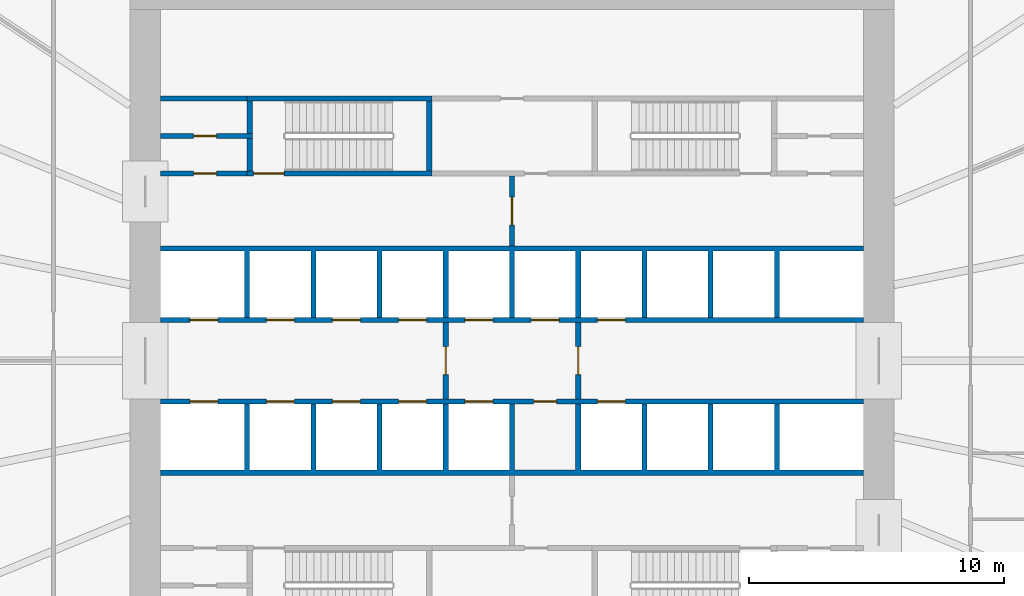
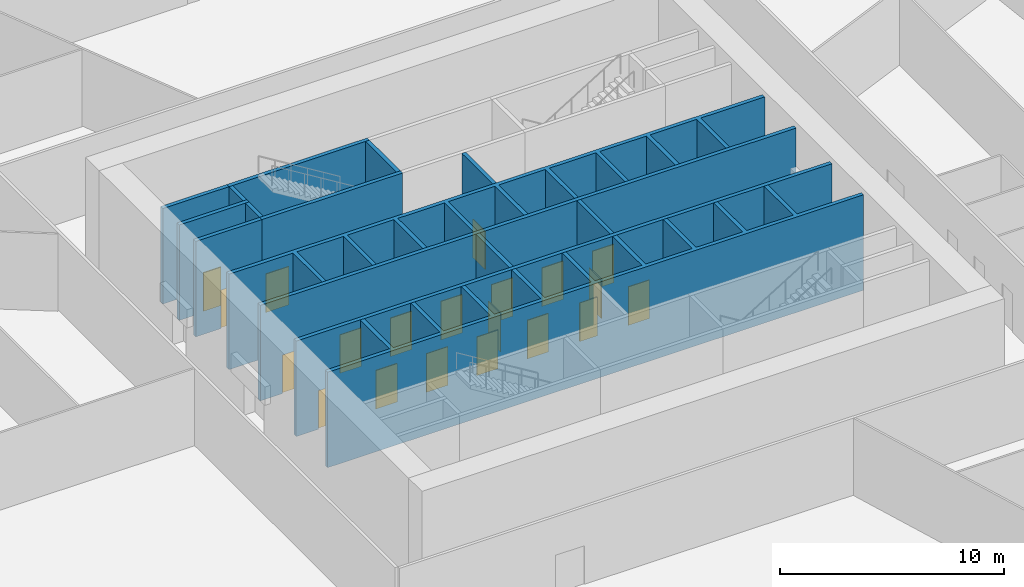
# One storey, part 29 of 36: 20 doors, 15 walls, 20 openings.
"""IFC4 building model written with IfcOpenShell, lengths in metres."""

from ifc_helpers import new_model, si_unit, direction, frame, frame_2d, origin, place, context, subcontext, project, spatial, polyline, rectangle, outline, extrude, material, layer, layer_set, type_object, element, fill, save


model = new_model("IFC4")

# Units and contexts
model_context = context("Model", 3, precision=1e-05, world=origin(), true_north=direction((0.0, 1.0)))
body_context = subcontext(model_context, "Body", "Model", "MODEL_VIEW")
ifc_project = project(units=[si_unit("LENGTHUNIT", "METRE"), si_unit("AREAUNIT", "SQUARE_METRE"), si_unit("VOLUMEUNIT", "CUBIC_METRE"), si_unit("PLANEANGLEUNIT", "RADIAN"), si_unit("MASSUNIT", "GRAM", prefix="KILO")], contexts=[model_context])

# Site, building, storey
site_placement = place(None, origin())
site = spatial("IfcSite", under=ifc_project, at=site_placement, CompositionType="ELEMENT")
building_placement = place(site_placement, origin())
building = spatial("IfcBuilding", under=site, at=building_placement, Name="Corvane Civic Tower", CompositionType="ELEMENT")
storey_placement = place(building_placement, frame((0.0, 0.0, 6.0)))
storey = spatial("IfcBuildingStorey", under=building, at=storey_placement, Name="L01", CompositionType="ELEMENT", Elevation=6.0)

# Wall, openings, doors
ifc_material_1 = material(Name="Concrete C30/37", Category="concrete")
ifc_layer_1 = layer(ifc_material_1, 0.199951171875)
ifc_layer_set_1 = layer_set([ifc_layer_1], Name="Concrete C30/37")
wall_type_1 = type_object("IfcWallType", Name="CR-WALL-200", PredefinedType="PARTITIONING", material=ifc_layer_set_1)
wall_1_placement = place(storey_placement, frame((-13.800048828125, -1.60009765625, 0.0), z_axis=(0.0, 0.0, 1.0), x_axis=(1.0, 0.0, 0.0)))
wall_1 = element("IfcWall", 1, at=wall_1_placement, inside=storey, type_object=wall_type_1, Name="L01 lift shaft wall", PredefinedType="PARTITIONING", context=body_context, shape_type="SweptSolid", body=[
    extrude(rectangle(XDim=27.60009765625, YDim=0.199951171875, at=frame_2d((13.800048828125, 0.0))), origin(), (0.0, 0.0, 1.0), 5.199951171875),
])
opening_1_placement = place(wall_1_placement, frame((1.14990234375, 0.0, 0.0)))
opening_1 = element("IfcOpeningElement", 2, at=opening_1_placement, cuts=wall_1, Name="Opening LD", PredefinedType="OPENING", context=body_context, shape_type="SweptSolid", body=[
    extrude(rectangle(XDim=1.10009765625, YDim=2.10009765625, at=frame_2d((0.550048828125, 1.050048828125))), frame((0.0, 0.10986328125, 0.0), z_axis=(0.0, -1.0, 0.0), x_axis=(1.0, 0.0, 0.0)), (0.0, 0.0, 1.0), 0.219970703125),
])
opening_2_placement = place(wall_1_placement, frame((4.14990234375, 0.0, 0.0)))
opening_2 = element("IfcOpeningElement", 3, at=opening_2_placement, cuts=wall_1, Name="Opening LD", PredefinedType="OPENING", context=body_context, shape_type="SweptSolid", body=[
    extrude(rectangle(XDim=1.10009765625, YDim=2.10009765625, at=frame_2d((0.550048828125, 1.050048828125))), frame((0.0, 0.10986328125, 0.0), z_axis=(0.0, -1.0, 0.0), x_axis=(1.0, 0.0, 0.0)), (0.0, 0.0, 1.0), 0.219970703125),
])
opening_3_placement = place(wall_1_placement, frame((6.75, 0.0, 0.0)))
opening_3 = element("IfcOpeningElement", 4, at=opening_3_placement, cuts=wall_1, Name="Opening LD", PredefinedType="OPENING", context=body_context, shape_type="SweptSolid", body=[
    extrude(rectangle(XDim=1.10009765625, YDim=2.10009765625, at=frame_2d((0.550048828125, 1.050048828125))), frame((0.0, 0.10986328125, 0.0), z_axis=(0.0, -1.0, 0.0), x_axis=(1.0, 0.0, 0.0)), (0.0, 0.0, 1.0), 0.219970703125),
])
opening_4_placement = place(wall_1_placement, frame((9.35009765625, 0.0, 0.0)))
opening_4 = element("IfcOpeningElement", 5, at=opening_4_placement, cuts=wall_1, Name="Opening LD", PredefinedType="OPENING", context=body_context, shape_type="SweptSolid", body=[
    extrude(rectangle(XDim=1.10009765625, YDim=2.10009765625, at=frame_2d((0.550048828125, 1.050048828125))), frame((0.0, 0.10986328125, 0.0), z_axis=(0.0, -1.0, 0.0), x_axis=(1.0, 0.0, 0.0)), (0.0, 0.0, 1.0), 0.219970703125),
])
opening_5_placement = place(wall_1_placement, frame((11.949951171875, 0.0, 0.0)))
opening_5 = element("IfcOpeningElement", 6, at=opening_5_placement, cuts=wall_1, Name="Opening LD", PredefinedType="OPENING", context=body_context, shape_type="SweptSolid", body=[
    extrude(rectangle(XDim=1.10009765625, YDim=2.10009765625, at=frame_2d((0.550048828125, 1.050048828125))), frame((0.0, 0.10986328125, 0.0), z_axis=(0.0, -1.0, 0.0), x_axis=(1.0, 0.0, 0.0)), (0.0, 0.0, 1.0), 0.219970703125),
])
opening_6_placement = place(wall_1_placement, frame((14.64990234375, 0.0, 0.0)))
opening_6 = element("IfcOpeningElement", 7, at=opening_6_placement, cuts=wall_1, Name="Opening L01.C01", PredefinedType="OPENING", context=body_context, shape_type="SweptSolid", body=[
    extrude(rectangle(XDim=0.89990234375, YDim=2.10009765625, at=frame_2d((0.449951171875, 1.050048828125))), frame((0.0, 0.10986328125, 0.0), z_axis=(0.0, -1.0, 0.0), x_axis=(1.0, 0.0, 0.0)), (0.0, 0.0, 1.0), 0.219970703125),
])
opening_7_placement = place(wall_1_placement, frame((17.14990234375, 0.0, 0.0)))
opening_7 = element("IfcOpeningElement", 8, at=opening_7_placement, cuts=wall_1, Name="Opening LD", PredefinedType="OPENING", context=body_context, shape_type="SweptSolid", body=[
    extrude(rectangle(XDim=1.10009765625, YDim=2.10009765625, at=frame_2d((0.550048828125, 1.050048828125))), frame((0.0, 0.10986328125, 0.0), z_axis=(0.0, -1.0, 0.0), x_axis=(1.0, 0.0, 0.0)), (0.0, 0.0, 1.0), 0.219970703125),
])
ifc_material_2 = material(Name="Steel fire door leaf", Category="steel")
door_type_1 = type_object("IfcDoorType", Name="CR-DOOR-900", OperationType="SINGLE_SWING_LEFT", PredefinedType="DOOR", material=ifc_material_2)
door_1_placement = place(opening_6_placement, origin())
door_1 = element("IfcDoor", 9, at=door_1_placement, inside=storey, type_object=door_type_1, Name="L01 door", OperationType="SINGLE_SWING_LEFT", OverallHeight=2.10009765625, OverallWidth=0.89990234375, PredefinedType="DOOR", context=body_context, shape_type="SweptSolid", body=[
    extrude(rectangle(XDim=0.89990234375, YDim=2.10009765625, at=frame_2d((0.449951171875, 1.050048828125))), frame((0.0, 0.02490234375, 0.0), z_axis=(0.0, -1.0, 0.0), x_axis=(1.0, 0.0, 0.0)), (0.0, 0.0, 1.0), 0.050048828125),
])
fill(opening_6, door_1)
ifc_material_3 = material(Name="Stainless steel 316 door leaves", Category="steel")
door_type_2 = type_object("IfcDoorType", Name="LD", OperationType="DOUBLE_DOOR_SLIDING", PredefinedType="DOOR", material=ifc_material_3)
door_2_placement = place(opening_1_placement, origin())
door_2 = element("IfcDoor", 10, at=door_2_placement, inside=storey, type_object=door_type_2, Name="L01 landing door", OperationType="DOUBLE_DOOR_SLIDING", OverallHeight=2.10009765625, OverallWidth=1.10009765625, PredefinedType="DOOR", context=body_context, shape_type="SweptSolid", body=[
    extrude(rectangle(XDim=1.10009765625, YDim=2.10009765625, at=frame_2d((0.550048828125, 1.050048828125))), frame((0.0, 0.02490234375, 0.0), z_axis=(0.0, -1.0, 0.0), x_axis=(1.0, 0.0, 0.0)), (0.0, 0.0, 1.0), 0.050048828125),
])
fill(opening_1, door_2)
door_3_placement = place(opening_2_placement, origin())
door_3 = element("IfcDoor", 11, at=door_3_placement, inside=storey, type_object=door_type_2, Name="L01 landing door", OperationType="DOUBLE_DOOR_SLIDING", OverallHeight=2.10009765625, OverallWidth=1.10009765625, PredefinedType="DOOR", context=body_context, shape_type="SweptSolid", body=[
    extrude(rectangle(XDim=1.10009765625, YDim=2.10009765625, at=frame_2d((0.550048828125, 1.050048828125))), frame((0.0, 0.02490234375, 0.0), z_axis=(0.0, -1.0, 0.0), x_axis=(1.0, 0.0, 0.0)), (0.0, 0.0, 1.0), 0.050048828125),
])
fill(opening_2, door_3)
door_4_placement = place(opening_3_placement, origin())
door_4 = element("IfcDoor", 12, at=door_4_placement, inside=storey, type_object=door_type_2, Name="L01 landing door", OperationType="DOUBLE_DOOR_SLIDING", OverallHeight=2.10009765625, OverallWidth=1.10009765625, PredefinedType="DOOR", context=body_context, shape_type="SweptSolid", body=[
    extrude(rectangle(XDim=1.10009765625, YDim=2.10009765625, at=frame_2d((0.550048828125, 1.050048828125))), frame((0.0, 0.02490234375, 0.0), z_axis=(0.0, -1.0, 0.0), x_axis=(1.0, 0.0, 0.0)), (0.0, 0.0, 1.0), 0.050048828125),
])
fill(opening_3, door_4)
door_5_placement = place(opening_4_placement, origin())
door_5 = element("IfcDoor", 13, at=door_5_placement, inside=storey, type_object=door_type_2, Name="L01 landing door", OperationType="DOUBLE_DOOR_SLIDING", OverallHeight=2.10009765625, OverallWidth=1.10009765625, PredefinedType="DOOR", context=body_context, shape_type="SweptSolid", body=[
    extrude(rectangle(XDim=1.10009765625, YDim=2.10009765625, at=frame_2d((0.550048828125, 1.050048828125))), frame((0.0, 0.02490234375, 0.0), z_axis=(0.0, -1.0, 0.0), x_axis=(1.0, 0.0, 0.0)), (0.0, 0.0, 1.0), 0.050048828125),
])
fill(opening_4, door_5)
door_6_placement = place(opening_5_placement, origin())
door_6 = element("IfcDoor", 14, at=door_6_placement, inside=storey, type_object=door_type_2, Name="L01 landing door", OperationType="DOUBLE_DOOR_SLIDING", OverallHeight=2.10009765625, OverallWidth=1.10009765625, PredefinedType="DOOR", context=body_context, shape_type="SweptSolid", body=[
    extrude(rectangle(XDim=1.10009765625, YDim=2.10009765625, at=frame_2d((0.550048828125, 1.050048828125))), frame((0.0, 0.02490234375, 0.0), z_axis=(0.0, -1.0, 0.0), x_axis=(1.0, 0.0, 0.0)), (0.0, 0.0, 1.0), 0.050048828125),
])
fill(opening_5, door_6)
door_7_placement = place(opening_7_placement, origin())
door_7 = element("IfcDoor", 15, at=door_7_placement, inside=storey, type_object=door_type_2, Name="L01 landing door", OperationType="DOUBLE_DOOR_SLIDING", OverallHeight=2.10009765625, OverallWidth=1.10009765625, PredefinedType="DOOR", context=body_context, shape_type="SweptSolid", body=[
    extrude(rectangle(XDim=1.10009765625, YDim=2.10009765625, at=frame_2d((0.550048828125, 1.050048828125))), frame((0.0, 0.02490234375, 0.0), z_axis=(0.0, -1.0, 0.0), x_axis=(1.0, 0.0, 0.0)), (0.0, 0.0, 1.0), 0.050048828125),
])
fill(opening_7, door_7)

wall_2_placement = place(storey_placement, frame((-13.800048828125, 1.60009765625, 0.0), z_axis=(0.0, 0.0, 1.0), x_axis=(1.0, 0.0, 0.0)))
wall_2 = element("IfcWall", 16, at=wall_2_placement, inside=storey, type_object=wall_type_1, Name="L01 lift shaft wall", PredefinedType="PARTITIONING", context=body_context, shape_type="SweptSolid", body=[
    extrude(rectangle(XDim=27.60009765625, YDim=0.199951171875, at=frame_2d((13.800048828125, 0.0))), origin(), (0.0, 0.0, 1.0), 5.199951171875),
])
opening_8_placement = place(wall_2_placement, frame((1.14990234375, 0.0, 0.0)))
opening_8 = element("IfcOpeningElement", 17, at=opening_8_placement, cuts=wall_2, Name="Opening LD", PredefinedType="OPENING", context=body_context, shape_type="SweptSolid", body=[
    extrude(rectangle(XDim=1.10009765625, YDim=2.10009765625, at=frame_2d((0.550048828125, 1.050048828125))), frame((0.0, 0.10986328125, 0.0), z_axis=(0.0, -1.0, 0.0), x_axis=(1.0, 0.0, 0.0)), (0.0, 0.0, 1.0), 0.219970703125),
])
opening_9_placement = place(wall_2_placement, frame((4.14990234375, 0.0, 0.0)))
opening_9 = element("IfcOpeningElement", 18, at=opening_9_placement, cuts=wall_2, Name="Opening LD", PredefinedType="OPENING", context=body_context, shape_type="SweptSolid", body=[
    extrude(rectangle(XDim=1.10009765625, YDim=2.10009765625, at=frame_2d((0.550048828125, 1.050048828125))), frame((0.0, 0.10986328125, 0.0), z_axis=(0.0, -1.0, 0.0), x_axis=(1.0, 0.0, 0.0)), (0.0, 0.0, 1.0), 0.219970703125),
])
opening_10_placement = place(wall_2_placement, frame((6.75, 0.0, 0.0)))
opening_10 = element("IfcOpeningElement", 19, at=opening_10_placement, cuts=wall_2, Name="Opening LD", PredefinedType="OPENING", context=body_context, shape_type="SweptSolid", body=[
    extrude(rectangle(XDim=1.10009765625, YDim=2.10009765625, at=frame_2d((0.550048828125, 1.050048828125))), frame((0.0, 0.10986328125, 0.0), z_axis=(0.0, -1.0, 0.0), x_axis=(1.0, 0.0, 0.0)), (0.0, 0.0, 1.0), 0.219970703125),
])
opening_11_placement = place(wall_2_placement, frame((9.35009765625, 0.0, 0.0)))
opening_11 = element("IfcOpeningElement", 20, at=opening_11_placement, cuts=wall_2, Name="Opening LD", PredefinedType="OPENING", context=body_context, shape_type="SweptSolid", body=[
    extrude(rectangle(XDim=1.10009765625, YDim=2.10009765625, at=frame_2d((0.550048828125, 1.050048828125))), frame((0.0, 0.10986328125, 0.0), z_axis=(0.0, -1.0, 0.0), x_axis=(1.0, 0.0, 0.0)), (0.0, 0.0, 1.0), 0.219970703125),
])
opening_12_placement = place(wall_2_placement, frame((11.949951171875, 0.0, 0.0)))
opening_12 = element("IfcOpeningElement", 21, at=opening_12_placement, cuts=wall_2, Name="Opening LD", PredefinedType="OPENING", context=body_context, shape_type="SweptSolid", body=[
    extrude(rectangle(XDim=1.10009765625, YDim=2.10009765625, at=frame_2d((0.550048828125, 1.050048828125))), frame((0.0, 0.10986328125, 0.0), z_axis=(0.0, -1.0, 0.0), x_axis=(1.0, 0.0, 0.0)), (0.0, 0.0, 1.0), 0.219970703125),
])
opening_13_placement = place(wall_2_placement, frame((14.550048828125, 0.0, 0.0)))
opening_13 = element("IfcOpeningElement", 22, at=opening_13_placement, cuts=wall_2, Name="Opening LD", PredefinedType="OPENING", context=body_context, shape_type="SweptSolid", body=[
    extrude(rectangle(XDim=1.10009765625, YDim=2.10009765625, at=frame_2d((0.550048828125, 1.050048828125))), frame((0.0, 0.10986328125, 0.0), z_axis=(0.0, -1.0, 0.0), x_axis=(1.0, 0.0, 0.0)), (0.0, 0.0, 1.0), 0.219970703125),
])
opening_14_placement = place(wall_2_placement, frame((17.14990234375, 0.0, 0.0)))
opening_14 = element("IfcOpeningElement", 23, at=opening_14_placement, cuts=wall_2, Name="Opening LD", PredefinedType="OPENING", context=body_context, shape_type="SweptSolid", body=[
    extrude(rectangle(XDim=1.10009765625, YDim=2.10009765625, at=frame_2d((0.550048828125, 1.050048828125))), frame((0.0, 0.10986328125, 0.0), z_axis=(0.0, -1.0, 0.0), x_axis=(1.0, 0.0, 0.0)), (0.0, 0.0, 1.0), 0.219970703125),
])
door_8_placement = place(opening_8_placement, origin())
door_8 = element("IfcDoor", 24, at=door_8_placement, inside=storey, type_object=door_type_2, Name="L01 landing door", OperationType="DOUBLE_DOOR_SLIDING", OverallHeight=2.10009765625, OverallWidth=1.10009765625, PredefinedType="DOOR", context=body_context, shape_type="SweptSolid", body=[
    extrude(rectangle(XDim=1.10009765625, YDim=2.10009765625, at=frame_2d((0.550048828125, 1.050048828125))), frame((0.0, 0.02490234375, 0.0), z_axis=(0.0, -1.0, 0.0), x_axis=(1.0, 0.0, 0.0)), (0.0, 0.0, 1.0), 0.050048828125),
])
fill(opening_8, door_8)
door_9_placement = place(opening_9_placement, origin())
door_9 = element("IfcDoor", 25, at=door_9_placement, inside=storey, type_object=door_type_2, Name="L01 landing door", OperationType="DOUBLE_DOOR_SLIDING", OverallHeight=2.10009765625, OverallWidth=1.10009765625, PredefinedType="DOOR", context=body_context, shape_type="SweptSolid", body=[
    extrude(rectangle(XDim=1.10009765625, YDim=2.10009765625, at=frame_2d((0.550048828125, 1.050048828125))), frame((0.0, 0.02490234375, 0.0), z_axis=(0.0, -1.0, 0.0), x_axis=(1.0, 0.0, 0.0)), (0.0, 0.0, 1.0), 0.050048828125),
])
fill(opening_9, door_9)
door_10_placement = place(opening_10_placement, origin())
door_10 = element("IfcDoor", 26, at=door_10_placement, inside=storey, type_object=door_type_2, Name="L01 landing door", OperationType="DOUBLE_DOOR_SLIDING", OverallHeight=2.10009765625, OverallWidth=1.10009765625, PredefinedType="DOOR", context=body_context, shape_type="SweptSolid", body=[
    extrude(rectangle(XDim=1.10009765625, YDim=2.10009765625, at=frame_2d((0.550048828125, 1.050048828125))), frame((0.0, 0.02490234375, 0.0), z_axis=(0.0, -1.0, 0.0), x_axis=(1.0, 0.0, 0.0)), (0.0, 0.0, 1.0), 0.050048828125),
])
fill(opening_10, door_10)
door_11_placement = place(opening_11_placement, origin())
door_11 = element("IfcDoor", 27, at=door_11_placement, inside=storey, type_object=door_type_2, Name="L01 landing door", OperationType="DOUBLE_DOOR_SLIDING", OverallHeight=2.10009765625, OverallWidth=1.10009765625, PredefinedType="DOOR", context=body_context, shape_type="SweptSolid", body=[
    extrude(rectangle(XDim=1.10009765625, YDim=2.10009765625, at=frame_2d((0.550048828125, 1.050048828125))), frame((0.0, 0.02490234375, 0.0), z_axis=(0.0, -1.0, 0.0), x_axis=(1.0, 0.0, 0.0)), (0.0, 0.0, 1.0), 0.050048828125),
])
fill(opening_11, door_11)
door_12_placement = place(opening_12_placement, origin())
door_12 = element("IfcDoor", 28, at=door_12_placement, inside=storey, type_object=door_type_2, Name="L01 landing door", OperationType="DOUBLE_DOOR_SLIDING", OverallHeight=2.10009765625, OverallWidth=1.10009765625, PredefinedType="DOOR", context=body_context, shape_type="SweptSolid", body=[
    extrude(rectangle(XDim=1.10009765625, YDim=2.10009765625, at=frame_2d((0.550048828125, 1.050048828125))), frame((0.0, 0.02490234375, 0.0), z_axis=(0.0, -1.0, 0.0), x_axis=(1.0, 0.0, 0.0)), (0.0, 0.0, 1.0), 0.050048828125),
])
fill(opening_12, door_12)
door_13_placement = place(opening_13_placement, origin())
door_13 = element("IfcDoor", 29, at=door_13_placement, inside=storey, type_object=door_type_2, Name="L01 landing door", OperationType="DOUBLE_DOOR_SLIDING", OverallHeight=2.10009765625, OverallWidth=1.10009765625, PredefinedType="DOOR", context=body_context, shape_type="SweptSolid", body=[
    extrude(rectangle(XDim=1.10009765625, YDim=2.10009765625, at=frame_2d((0.550048828125, 1.050048828125))), frame((0.0, 0.02490234375, 0.0), z_axis=(0.0, -1.0, 0.0), x_axis=(1.0, 0.0, 0.0)), (0.0, 0.0, 1.0), 0.050048828125),
])
fill(opening_13, door_13)
door_14_placement = place(opening_14_placement, origin())
door_14 = element("IfcDoor", 30, at=door_14_placement, inside=storey, type_object=door_type_2, Name="L01 landing door", OperationType="DOUBLE_DOOR_SLIDING", OverallHeight=2.10009765625, OverallWidth=1.10009765625, PredefinedType="DOOR", context=body_context, shape_type="SweptSolid", body=[
    extrude(rectangle(XDim=1.10009765625, YDim=2.10009765625, at=frame_2d((0.550048828125, 1.050048828125))), frame((0.0, 0.02490234375, 0.0), z_axis=(0.0, -1.0, 0.0), x_axis=(1.0, 0.0, 0.0)), (0.0, 0.0, 1.0), 0.050048828125),
])
fill(opening_14, door_14)

# Wall, opening, door
wall_3_placement = place(storey_placement, frame((-13.800048828125, 7.35009765625, 0.0), z_axis=(0.0, 0.0, 1.0), x_axis=(1.0, 0.0, 0.0)))
wall_3 = element("IfcWall", 31, at=wall_3_placement, inside=storey, type_object=wall_type_1, Name="L01 core partition wall", PredefinedType="PARTITIONING", context=body_context, shape_type="SweptSolid", body=[
    extrude(rectangle(XDim=3.400146484375, YDim=0.199951171875, at=frame_2d((1.7001953125, 0.0))), origin(), (0.0, 0.0, 1.0), 5.199951171875),
])
opening_15_placement = place(wall_3_placement, frame((1.300048828125, 0.0, 0.0)))
opening_15 = element("IfcOpeningElement", 32, at=opening_15_placement, cuts=wall_3, Name="Opening L01.C06", PredefinedType="OPENING", context=body_context, shape_type="SweptSolid", body=[
    extrude(rectangle(XDim=0.89990234375, YDim=2.10009765625, at=frame_2d((0.449951171875, 1.050048828125))), frame((0.0, 0.10986328125, 0.0), z_axis=(0.0, -1.0, 0.0), x_axis=(1.0, 0.0, 0.0)), (0.0, 0.0, 1.0), 0.219970703125),
])
door_15_placement = place(opening_15_placement, origin())
door_15 = element("IfcDoor", 33, at=door_15_placement, inside=storey, type_object=door_type_1, Name="L01 door", OperationType="SINGLE_SWING_LEFT", OverallHeight=2.10009765625, OverallWidth=0.89990234375, PredefinedType="DOOR", context=body_context, shape_type="SweptSolid", body=[
    extrude(rectangle(XDim=0.89990234375, YDim=2.10009765625, at=frame_2d((0.449951171875, 1.050048828125))), frame((0.0, 0.02490234375, 0.0), z_axis=(0.0, -1.0, 0.0), x_axis=(1.0, 0.0, 0.0)), (0.0, 0.0, 1.0), 0.050048828125),
])
fill(opening_15, door_15)

wall_4_placement = place(storey_placement, frame((-13.800048828125, 8.824951171875, 0.0), z_axis=(0.0, 0.0, 1.0), x_axis=(1.0, 0.0, 0.0)))
wall_4 = element("IfcWall", 34, at=wall_4_placement, inside=storey, type_object=wall_type_1, Name="L01 partition wall", PredefinedType="PARTITIONING", context=body_context, shape_type="SweptSolid", body=[
    extrude(rectangle(XDim=3.60009765625, YDim=0.199951171875, at=frame_2d((1.800048828125, 0.0))), origin(), (0.0, 0.0, 1.0), 5.199951171875),
])
opening_16_placement = place(wall_4_placement, frame((1.300048828125, 0.0, 0.0)))
opening_16 = element("IfcOpeningElement", 35, at=opening_16_placement, cuts=wall_4, Name="Opening L01.C07", PredefinedType="OPENING", context=body_context, shape_type="SweptSolid", body=[
    extrude(rectangle(XDim=0.89990234375, YDim=2.10009765625, at=frame_2d((0.449951171875, 1.050048828125))), frame((0.0, 0.10986328125, 0.0), z_axis=(0.0, -1.0, 0.0), x_axis=(1.0, 0.0, 0.0)), (0.0, 0.0, 1.0), 0.219970703125),
])
door_16_placement = place(opening_16_placement, origin())
door_16 = element("IfcDoor", 36, at=door_16_placement, inside=storey, type_object=door_type_1, Name="L01 door", OperationType="SINGLE_SWING_LEFT", OverallHeight=2.10009765625, OverallWidth=0.89990234375, PredefinedType="DOOR", context=body_context, shape_type="SweptSolid", body=[
    extrude(rectangle(XDim=0.89990234375, YDim=2.10009765625, at=frame_2d((0.449951171875, 1.050048828125))), frame((0.0, 0.02490234375, 0.0), z_axis=(0.0, -1.0, 0.0), x_axis=(1.0, 0.0, 0.0)), (0.0, 0.0, 1.0), 0.050048828125),
])
fill(opening_16, door_16)

wall_5_placement = place(storey_placement, frame((-2.60009765625, -1.5, 0.0), z_axis=(0.0, 0.0, 1.0), x_axis=(0.0, 1.0, 0.0)))
wall_5 = element("IfcWall", 37, at=wall_5_placement, inside=storey, type_object=wall_type_1, Name="L01 firefighting lobby wall", PredefinedType="PARTITIONING", context=body_context, shape_type="SweptSolid", body=[
    extrude(rectangle(XDim=3.0, YDim=0.199951171875, at=frame_2d((1.5, 0.0))), origin(), (0.0, 0.0, 1.0), 5.199951171875),
])
opening_17_placement = place(wall_5_placement, frame((0.949951171875, 0.0, 0.0)))
opening_17 = element("IfcOpeningElement", 38, at=opening_17_placement, cuts=wall_5, Name="Opening L01.C18", PredefinedType="OPENING", context=body_context, shape_type="SweptSolid", body=[
    extrude(rectangle(XDim=1.10009765625, YDim=2.10009765625, at=frame_2d((0.550048828125, 1.050048828125))), frame((0.0, 0.10986328125, 0.0), z_axis=(0.0, -1.0, 0.0), x_axis=(1.0, 0.0, 0.0)), (0.0, 0.0, 1.0), 0.219970703125),
])
ifc_material_4 = material(Name="Steel fire door leaf", Category="steel")
door_type_3 = type_object("IfcDoorType", Name="CR-DOOR-FFL-1100", OperationType="SINGLE_SWING_LEFT", PredefinedType="DOOR", material=ifc_material_4)
door_17_placement = place(opening_17_placement, origin())
door_17 = element("IfcDoor", 39, at=door_17_placement, inside=storey, type_object=door_type_3, Name="L01 lobby door", OperationType="SINGLE_SWING_LEFT", OverallHeight=2.10009765625, OverallWidth=1.10009765625, PredefinedType="DOOR", context=body_context, shape_type="SweptSolid", body=[
    extrude(rectangle(XDim=1.10009765625, YDim=2.10009765625, at=frame_2d((0.550048828125, 1.050048828125))), frame((0.0, 0.02490234375, 0.0), z_axis=(0.0, -1.0, 0.0), x_axis=(1.0, 0.0, 0.0)), (0.0, 0.0, 1.0), 0.050048828125),
])
fill(opening_17, door_17)

wall_6_placement = place(storey_placement, frame((0.0, 4.5, 0.0), z_axis=(0.0, 0.0, 1.0), x_axis=(0.0, 1.0, 0.0)))
wall_6 = element("IfcWall", 40, at=wall_6_placement, inside=storey, type_object=wall_type_1, Name="L01 core partition wall", PredefinedType="PARTITIONING", context=body_context, shape_type="SweptSolid", body=[
    extrude(rectangle(XDim=2.75, YDim=0.199951171875, at=frame_2d((1.375, 0.0))), origin(), (0.0, 0.0, 1.0), 5.199951171875),
])
opening_18_placement = place(wall_6_placement, frame((0.824951171875, 0.0, 0.0)))
opening_18 = element("IfcOpeningElement", 41, at=opening_18_placement, cuts=wall_6, Name="Opening L01.C20", PredefinedType="OPENING", context=body_context, shape_type="SweptSolid", body=[
    extrude(rectangle(XDim=1.10009765625, YDim=2.10009765625, at=frame_2d((0.550048828125, 1.050048828125))), frame((0.0, 0.10986328125, 0.0), z_axis=(0.0, -1.0, 0.0), x_axis=(1.0, 0.0, 0.0)), (0.0, 0.0, 1.0), 0.219970703125),
])
door_18_placement = place(opening_18_placement, origin())
door_18 = element("IfcDoor", 42, at=door_18_placement, inside=storey, type_object=door_type_3, Name="L01 lobby door", OperationType="SINGLE_SWING_LEFT", OverallHeight=2.10009765625, OverallWidth=1.10009765625, PredefinedType="DOOR", context=body_context, shape_type="SweptSolid", body=[
    extrude(rectangle(XDim=1.10009765625, YDim=2.10009765625, at=frame_2d((0.550048828125, 1.050048828125))), frame((0.0, 0.02490234375, 0.0), z_axis=(0.0, -1.0, 0.0), x_axis=(1.0, 0.0, 0.0)), (0.0, 0.0, 1.0), 0.050048828125),
])
fill(opening_18, door_18)

wall_7_placement = place(storey_placement, frame((2.60009765625, -1.5, 0.0), z_axis=(0.0, 0.0, 1.0), x_axis=(0.0, 1.0, 0.0)))
wall_7 = element("IfcWall", 43, at=wall_7_placement, inside=storey, type_object=wall_type_1, Name="L01 firefighting lobby wall", PredefinedType="PARTITIONING", context=body_context, shape_type="SweptSolid", body=[
    extrude(rectangle(XDim=3.0, YDim=0.199951171875, at=frame_2d((1.5, 0.0))), origin(), (0.0, 0.0, 1.0), 5.199951171875),
])
opening_19_placement = place(wall_7_placement, frame((0.949951171875, 0.0, 0.0)))
opening_19 = element("IfcOpeningElement", 44, at=opening_19_placement, cuts=wall_7, Name="Opening L01.C19", PredefinedType="OPENING", context=body_context, shape_type="SweptSolid", body=[
    extrude(rectangle(XDim=1.10009765625, YDim=2.10009765625, at=frame_2d((0.550048828125, 1.050048828125))), frame((0.0, 0.10986328125, 0.0), z_axis=(0.0, -1.0, 0.0), x_axis=(1.0, 0.0, 0.0)), (0.0, 0.0, 1.0), 0.219970703125),
])
door_19_placement = place(opening_19_placement, origin())
door_19 = element("IfcDoor", 45, at=door_19_placement, inside=storey, type_object=door_type_3, Name="L01 lobby door", OperationType="SINGLE_SWING_LEFT", OverallHeight=2.10009765625, OverallWidth=1.10009765625, PredefinedType="DOOR", context=body_context, shape_type="SweptSolid", body=[
    extrude(rectangle(XDim=1.10009765625, YDim=2.10009765625, at=frame_2d((0.550048828125, 1.050048828125))), frame((0.0, 0.02490234375, 0.0), z_axis=(0.0, -1.0, 0.0), x_axis=(1.0, 0.0, 0.0)), (0.0, 0.0, 1.0), 0.050048828125),
])
fill(opening_19, door_19)

# Walls
wall_8_placement = place(storey_placement, origin())
element("IfcWall", 46, at=wall_8_placement, inside=storey, type_object=wall_type_1, Name="L01 core partition wall", PredefinedType="PARTITIONING", context=body_context, shape_type="SweptSolid", body=[
    extrude(outline(polyline([(-13.800048828125, 10.199951171875), (-13.800048828125, 10.39990234375), (-10.39990234375, 10.39990234375), (-10.39990234375, 10.199951171875), (-13.800048828125, 10.199951171875)])), origin(), (0.0, 0.0, 1.0), 5.199951171875),
])
wall_9_placement = place(storey_placement, origin())
element("IfcWall", 47, at=wall_9_placement, inside=storey, type_object=wall_type_1, Name="L01 core partition wall", PredefinedType="PARTITIONING", context=body_context, shape_type="SweptSolid", body=[
    extrude(outline(polyline([(-10.5, -1.699951171875), (-10.300048828125, -1.699951171875), (-10.300048828125, -4.300048828125), (-7.89990234375, -4.300048828125), (-7.89990234375, -1.699951171875), (-7.699951171875, -1.699951171875), (-7.699951171875, -4.300048828125), (-5.300048828125, -4.300048828125), (-5.300048828125, -1.699951171875), (-5.10009765625, -1.699951171875), (-5.10009765625, -4.300048828125), (-2.699951171875, -4.300048828125), (-2.699951171875, -1.699951171875), (-2.5, -1.699951171875), (-2.5, -4.300048828125), (-0.10009765625, -4.300048828125), (-0.10009765625, -1.699951171875), (0.10009765625, -1.699951171875), (0.10009765625, -4.300048828125), (2.5, -4.300048828125), (2.5, -1.699951171875), (2.699951171875, -1.699951171875), (2.699951171875, -4.300048828125), (5.10009765625, -4.300048828125), (5.10009765625, -1.699951171875), (5.300048828125, -1.699951171875), (5.300048828125, -4.300048828125), (7.699951171875, -4.300048828125), (7.699951171875, -1.699951171875), (7.89990234375, -1.699951171875), (7.89990234375, -4.300048828125), (10.300048828125, -4.300048828125), (10.300048828125, -1.699951171875), (10.5, -1.699951171875), (10.5, -4.300048828125), (13.800048828125, -4.300048828125), (13.800048828125, -4.5), (-13.800048828125, -4.5), (-13.800048828125, -4.300048828125), (-10.5, -4.300048828125), (-10.5, -1.699951171875)])), origin(), (0.0, 0.0, 1.0), 5.199951171875),
])
wall_10_placement = place(storey_placement, origin())
element("IfcWall", 48, at=wall_10_placement, inside=storey, type_object=wall_type_1, Name="L01 core partition wall", PredefinedType="PARTITIONING", context=body_context, shape_type="SweptSolid", body=[
    extrude(outline(polyline([(-7.699951171875, 4.300048828125), (-7.699951171875, 1.699951171875), (-7.89990234375, 1.699951171875), (-7.89990234375, 4.300048828125), (-10.300048828125, 4.300048828125), (-10.300048828125, 1.699951171875), (-10.5, 1.699951171875), (-10.5, 4.300048828125), (-13.800048828125, 4.300048828125), (-13.800048828125, 4.5), (13.800048828125, 4.5), (13.800048828125, 4.300048828125), (10.5, 4.300048828125), (10.5, 1.699951171875), (10.300048828125, 1.699951171875), (10.300048828125, 4.300048828125), (7.89990234375, 4.300048828125), (7.89990234375, 1.699951171875), (7.699951171875, 1.699951171875), (7.699951171875, 4.300048828125), (5.300048828125, 4.300048828125), (5.300048828125, 1.699951171875), (5.10009765625, 1.699951171875), (5.10009765625, 4.300048828125), (2.699951171875, 4.300048828125), (2.699951171875, 1.699951171875), (2.5, 1.699951171875), (2.5, 4.300048828125), (0.10009765625, 4.300048828125), (0.10009765625, 1.699951171875), (-0.10009765625, 1.699951171875), (-0.10009765625, 4.300048828125), (-2.5, 4.300048828125), (-2.5, 1.699951171875), (-2.699951171875, 1.699951171875), (-2.699951171875, 4.300048828125), (-5.10009765625, 4.300048828125), (-5.10009765625, 1.699951171875), (-5.300048828125, 1.699951171875), (-5.300048828125, 4.300048828125), (-7.699951171875, 4.300048828125)])), origin(), (0.0, 0.0, 1.0), 5.199951171875),
])

# Wall, opening, door
ifc_material_5 = material(Name="Concrete C50/60", Category="concrete")
ifc_layer_2 = layer(ifc_material_5, 0.199951171875)
ifc_layer_set_2 = layer_set([ifc_layer_2], Name="Concrete C50/60")
wall_type_2 = type_object("IfcWallType", Name="ST-WALL-200", PredefinedType="SHEAR", material=ifc_layer_set_2)
wall_11_placement = place(storey_placement, frame((-10.39990234375, 7.35009765625, 0.0), z_axis=(0.0, 0.0, 1.0), x_axis=(1.0, 0.0, 0.0)))
wall_11 = element("IfcWall", 49, at=wall_11_placement, inside=storey, type_object=wall_type_2, Name="L01 stair enclosure wall", PredefinedType="SHEAR", context=body_context, shape_type="SweptSolid", body=[
    extrude(rectangle(XDim=7.25, YDim=0.199951171875, at=frame_2d((3.625, 0.0))), origin(), (0.0, 0.0, 1.0), 5.199951171875),
])
opening_20_placement = place(wall_11_placement, frame((0.25, 0.0, 0.0)))
opening_20 = element("IfcOpeningElement", 50, at=opening_20_placement, cuts=wall_11, Name="Opening L01.C15", PredefinedType="OPENING", context=body_context, shape_type="SweptSolid", body=[
    extrude(rectangle(XDim=1.199951171875, YDim=2.10009765625, at=frame_2d((0.60009765625, 1.050048828125))), frame((0.0, 0.10986328125, 0.0), z_axis=(0.0, -1.0, 0.0), x_axis=(1.0, 0.0, 0.0)), (0.0, 0.0, 1.0), 0.219970703125),
])
ifc_material_6 = material(Name="Steel fire door leaf", Category="steel")
door_type_4 = type_object("IfcDoorType", Name="ST-DOOR-1200", OperationType="SINGLE_SWING_RIGHT", PredefinedType="DOOR", material=ifc_material_6)
door_20_placement = place(opening_20_placement, origin())
door_20 = element("IfcDoor", 51, at=door_20_placement, inside=storey, type_object=door_type_4, Name="L01 stair door", OperationType="SINGLE_SWING_RIGHT", OverallHeight=2.10009765625, OverallWidth=1.199951171875, PredefinedType="DOOR", context=body_context, shape_type="SweptSolid", body=[
    extrude(rectangle(XDim=1.199951171875, YDim=2.10009765625, at=frame_2d((0.60009765625, 1.050048828125))), frame((0.0, 0.02490234375, 0.0), z_axis=(0.0, -1.0, 0.0), x_axis=(1.0, 0.0, 0.0)), (0.0, 0.0, 1.0), 0.050048828125),
])
fill(opening_20, door_20)

# Walls
wall_12_placement = place(storey_placement, origin())
element("IfcWall", 52, at=wall_12_placement, inside=storey, type_object=wall_type_2, Name="L01 stair enclosure wall", PredefinedType="SHEAR", context=body_context, shape_type="SweptSolid", body=[
    extrude(outline(polyline([(-3.14990234375, 10.199951171875), (-10.39990234375, 10.199951171875), (-10.39990234375, 10.39990234375), (-3.14990234375, 10.39990234375), (-3.14990234375, 10.199951171875)])), origin(), (0.0, 0.0, 1.0), 5.199951171875),
])
wall_13_placement = place(storey_placement, origin())
element("IfcWall", 53, at=wall_13_placement, inside=storey, type_object=wall_type_2, Name="L01 stair enclosure wall", PredefinedType="SHEAR", context=body_context, shape_type="SweptSolid", body=[
    extrude(outline(polyline([(-3.14990234375, 7.449951171875), (-3.35009765625, 7.449951171875), (-3.35009765625, 10.199951171875), (-3.14990234375, 10.199951171875), (-3.14990234375, 7.449951171875)])), origin(), (0.0, 0.0, 1.0), 5.199951171875),
])
wall_14_placement = place(storey_placement, origin())
element("IfcWall", 54, at=wall_14_placement, inside=storey, type_object=wall_type_2, Name="L01 stair enclosure wall", PredefinedType="SHEAR", context=body_context, shape_type="SweptSolid", body=[
    extrude(outline(polyline([(-10.199951171875, 8.72509765625), (-10.199951171875, 7.449951171875), (-10.39990234375, 7.449951171875), (-10.39990234375, 8.72509765625), (-10.199951171875, 8.72509765625)])), origin(), (0.0, 0.0, 1.0), 5.199951171875),
])
wall_15_placement = place(storey_placement, origin())
element("IfcWall", 55, at=wall_15_placement, inside=storey, type_object=wall_type_2, Name="L01 stair enclosure wall", PredefinedType="SHEAR", context=body_context, shape_type="SweptSolid", body=[
    extrude(outline(polyline([(-10.199951171875, 8.925048828125), (-10.39990234375, 8.925048828125), (-10.39990234375, 10.199951171875), (-10.199951171875, 10.199951171875), (-10.199951171875, 8.925048828125)])), origin(), (0.0, 0.0, 1.0), 5.199951171875),
])

save(model, "model.ifc")
